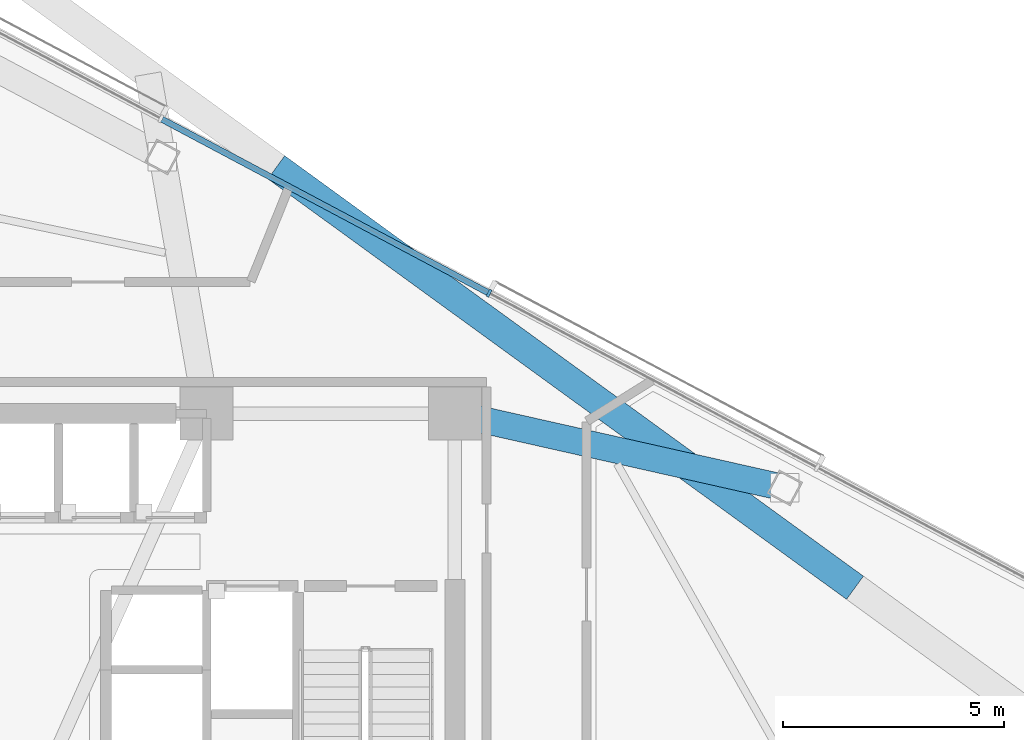
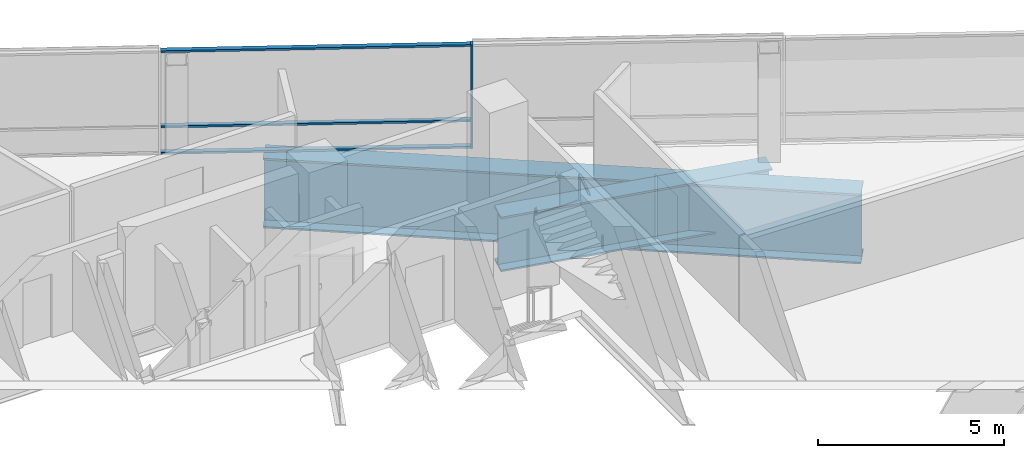
# One storey, part 8 of 20: 4 members, 2 beams, 1 element without a shape of its own.
"""IFC4 building model written with IfcOpenShell, lengths in metres."""

from ifc_helpers import new_model, si_unit, direction, frame, origin, origin_2d, place, context, subcontext, project, spatial, rectangle, i_section, extrude, material, layer, layer_set, material_profile, profile_set, type_object, element, aggregate, save


model = new_model("IFC4")

# Units and contexts
model_context = context("Model", 3, precision=1e-05, world=origin(), true_north=direction((0.0, 1.0)))
body_context = subcontext(model_context, "Body", "Model", "MODEL_VIEW")
ifc_project = project(units=[si_unit("LENGTHUNIT", "METRE"), si_unit("AREAUNIT", "SQUARE_METRE"), si_unit("VOLUMEUNIT", "CUBIC_METRE"), si_unit("PLANEANGLEUNIT", "RADIAN"), si_unit("MASSUNIT", "GRAM", prefix="KILO")], contexts=[model_context])

# Site, building, storey
site_placement = place(None, origin())
site = spatial("IfcSite", under=ifc_project, at=site_placement, CompositionType="ELEMENT")
building_placement = place(site_placement, origin())
building = spatial("IfcBuilding", under=site, at=building_placement, Name="Tharavind Bronze Gate", CompositionType="ELEMENT")
storey_placement = place(building_placement, frame((0.0, 0.0, 138.800048828125)))
storey = spatial("IfcBuildingStorey", under=building, at=storey_placement, Name="L35", CompositionType="ELEMENT", Elevation=138.800048828125)

# Curtain wall, members
ifc_material_1 = material(Name="Anodised Bronze Aluminium", Category="aluminium")
ifc_layer = layer(ifc_material_1, 0.219970703125)
ifc_layer_set = layer_set([ifc_layer], Name="Anodised Bronze Aluminium")
curtain_wall_type = type_object("IfcCurtainWallType", Name="UNITISED CURTAIN WALL MID OFFICE", PredefinedType="USERDEFINED", material=ifc_layer_set)
curtain_wall_placement = place(storey_placement, origin())
curtain_wall = element("IfcCurtainWall", 1, at=curtain_wall_placement, inside=storey, type_object=curtain_wall_type, Name="L35 unitised curtain wall mid office CW-L35-S3", ObjectType="UNITISED CURTAIN WALL", PredefinedType="USERDEFINED")
member_type_1 = type_object("IfcMemberType", Name="CURTAIN WALL BRONZE MULLION 65X180", PredefinedType="MULLION", material=ifc_material_1)
member_1_placement = place(storey_placement, frame((9.6748046875, 10.32861328125, 0.0), z_axis=(0.0, 0.0, 1.0), x_axis=(-0.882947592859, 0.469471562786, 0.0)))
member_1 = element("IfcMember", 2, at=member_1_placement, type_object=member_type_1, Name="CW-L35-S3 mullion 4", PredefinedType="MULLION", context=body_context, shape_type="SweptSolid", body=[
    extrude(rectangle(XDim=0.06494140625, YDim=0.179931640625, at=origin_2d()), origin(), (0.0, 0.0, 1.0), 3.409912109375),
])
member_type_2 = type_object("IfcMemberType", Name="CURTAIN WALL BRONZE TRANSOM 65X140", PredefinedType="USERDEFINED", material=ifc_material_1)
member_2_placement = place(storey_placement, frame((5.960205078125, 12.303955078125, 0.0), z_axis=(0.0, 0.0, 1.0), x_axis=(-0.882947592859, 0.469471562786, 0.0)))
member_2 = element("IfcMember", 3, at=member_2_placement, type_object=member_type_2, Name="CW-L35-S3 transom TB4", ObjectType="TRANSOM", PredefinedType="USERDEFINED", context=body_context, shape_type="SweptSolid", body=[
    extrude(rectangle(XDim=8.361572265625, YDim=0.139892578125, at=origin_2d()), origin(), (0.0, 0.0, 1.0), 0.06494140625),
])
member_3_placement = place(storey_placement, frame((5.960205078125, 12.303955078125, 0.867431640625), z_axis=(0.0, 0.0, 1.0), x_axis=(-0.882947592859, 0.469471562786, 0.0)))
member_3 = element("IfcMember", 4, at=member_3_placement, type_object=member_type_2, Name="CW-L35-S3 transom TS4", ObjectType="TRANSOM", PredefinedType="USERDEFINED", context=body_context, shape_type="SweptSolid", body=[
    extrude(rectangle(XDim=8.361572265625, YDim=0.139892578125, at=origin_2d()), origin(), (0.0, 0.0, 1.0), 0.06494140625),
])
member_4_placement = place(storey_placement, frame((5.960205078125, 12.303955078125, 3.344970703125), z_axis=(0.0, 0.0, 1.0), x_axis=(-0.882947592859, 0.469471562786, 0.0)))
member_4 = element("IfcMember", 5, at=member_4_placement, type_object=member_type_2, Name="CW-L35-S3 transom TT4", ObjectType="TRANSOM", PredefinedType="USERDEFINED", context=body_context, shape_type="SweptSolid", body=[
    extrude(rectangle(XDim=8.361572265625, YDim=0.139892578125, at=origin_2d()), origin(), (0.0, 0.0, 1.0), 0.06494140625),
])
aggregate(curtain_wall, [member_1, member_2, member_3, member_4])

# Beams
ifc_material_2 = material(Name="Steel S460", Category="steel")
ifc_material_profile_1 = material_profile(ifc_material_2, i_section(OverallWidth=0.60009765625, OverallDepth=1.800048828125, WebThickness=0.031982421875, FlangeThickness=0.054931640625, at=origin_2d()), Name="PG1800X600")
ifc_profile_set_1 = profile_set([ifc_material_profile_1], Name="Steel S460")
beam_type_1 = type_object("IfcBeamType", Name="TRANSFER GIRDER 1800X600", PredefinedType="USERDEFINED", material=ifc_profile_set_1)
beam_1_placement = place(storey_placement, frame((8.89990234375, 7.60009765625, -1.090087890625), z_axis=(0.97561351158, -0.219495503422, 0.0), x_axis=(0.219495503422, 0.97561351158, 0.0)))
element("IfcBeam", 6, at=beam_1_placement, inside=storey, type_object=beam_type_1, Name="L35 transfer girder 1800x600 BM-L35-XFR10", ObjectType="TRANSFER GIRDER", PredefinedType="USERDEFINED", context=body_context, shape_type="SweptSolid", body=[
    extrude(i_section(OverallWidth=0.60009765625, OverallDepth=1.800048828125, WebThickness=0.031982421875, FlangeThickness=0.054931640625, at=origin_2d()), origin(), (0.0, 0.0, 1.0), 7.656982421875),
])
ifc_material_profile_2 = material_profile(ifc_material_2, i_section(OverallWidth=0.64990234375, OverallDepth=2.300048828125, WebThickness=0.035888671875, FlangeThickness=0.05810546875, at=origin_2d()), Name="PG2300X650")
ifc_profile_set_2 = profile_set([ifc_material_profile_2], Name="Steel S460")
beam_type_2 = type_object("IfcBeamType", Name="TRANSFER GIRDER 2300X650", PredefinedType="USERDEFINED", material=ifc_profile_set_2)
beam_2_placement = place(storey_placement, frame((17.961181640625, 3.658203125, -1.340087890625), z_axis=(-0.809019501524, 0.587781801482, 0.0), x_axis=(-0.587781801482, -0.809019501524, 0.0)))
element("IfcBeam", 7, at=beam_2_placement, inside=storey, type_object=beam_type_2, Name="L35 transfer girder 2300x650 BM-L35-LRG10", ObjectType="TRANSFER GIRDER", PredefinedType="USERDEFINED", context=body_context, shape_type="SweptSolid", body=[
    extrude(i_section(OverallWidth=0.64990234375, OverallDepth=2.300048828125, WebThickness=0.035888671875, FlangeThickness=0.05810546875, at=origin_2d()), origin(), (0.0, 0.0, 1.0), 16.198486328125),
])

save(model, "model.ifc")
